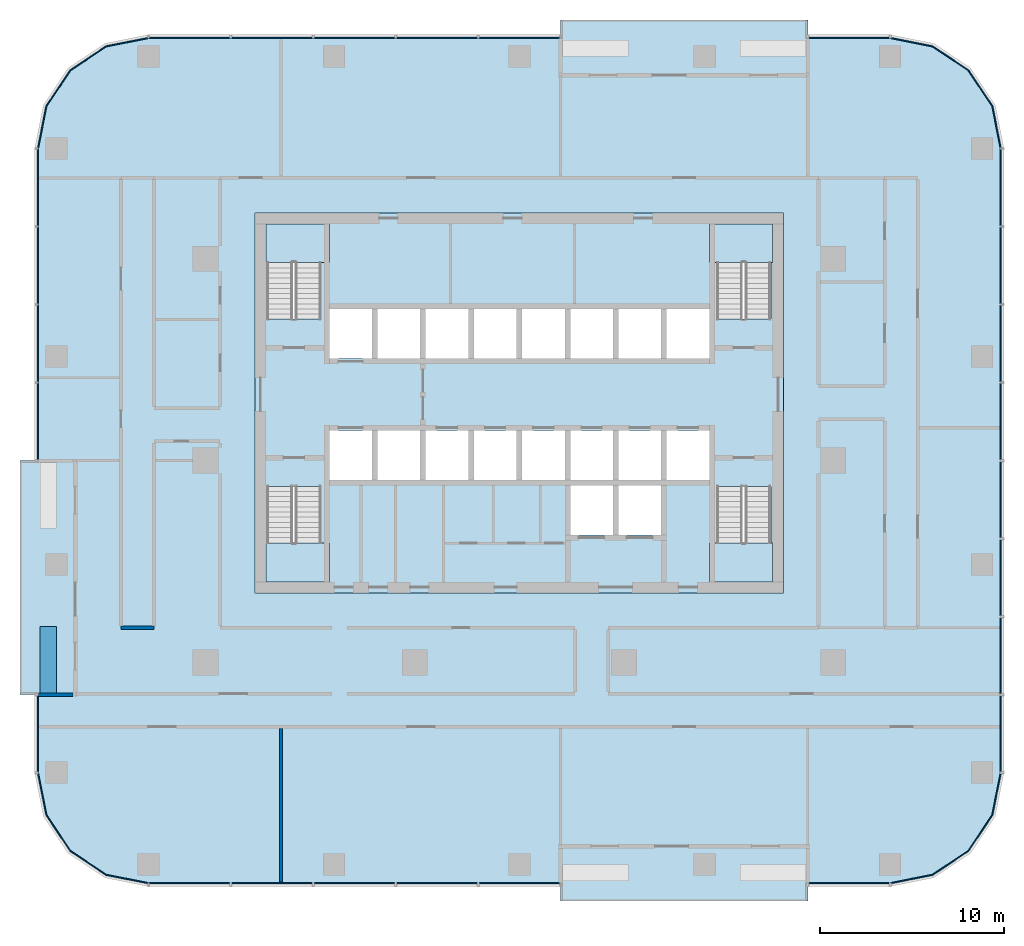
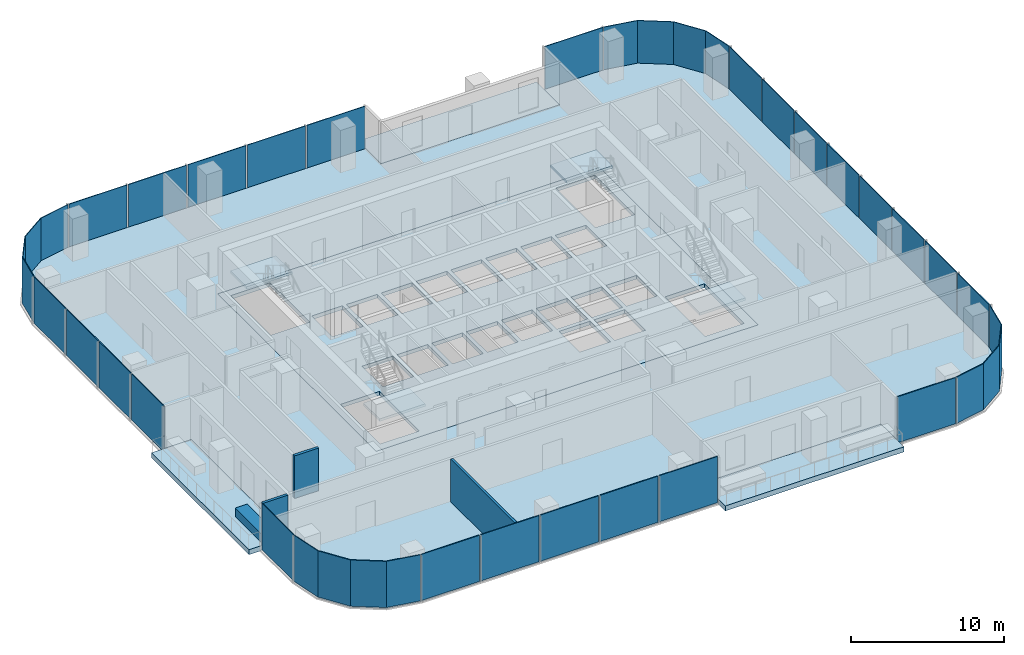
# One storey, part 6 of 14: 29 plates, 9 slabs, 4 walls, 15 elements without a shape of their own.
"""IFC4 building model written with IfcOpenShell, lengths in metres."""

from ifc_helpers import new_model, si_unit, direction, frame, frame_2d, origin, origin_2d, place, context, subcontext, project, spatial, polyline, rectangle, outline, extrude, material, layer, layer_set, type_object, element, aggregate, save


model = new_model("IFC4")

# Units and contexts
model_context = context("Model", 3, precision=1e-05, world=origin(), true_north=direction((0.0, 1.0)))
body_context = subcontext(model_context, "Body", "Model", "MODEL_VIEW")
ifc_project = project(units=[si_unit("LENGTHUNIT", "METRE"), si_unit("AREAUNIT", "SQUARE_METRE"), si_unit("VOLUMEUNIT", "CUBIC_METRE"), si_unit("PLANEANGLEUNIT", "RADIAN"), si_unit("MASSUNIT", "GRAM", prefix="KILO")], contexts=[model_context])

# Site, building, storey
site_placement = place(None, origin())
site = spatial("IfcSite", under=ifc_project, at=site_placement, CompositionType="ELEMENT")
building_placement = place(site_placement, origin())
building = spatial("IfcBuilding", under=site, at=building_placement, Name="Mopane Tessera Tower", CompositionType="ELEMENT")
storey_placement = place(building_placement, frame((0.0, 0.0, 201.0)))
storey = spatial("IfcBuildingStorey", under=building, at=storey_placement, Name="L42", CompositionType="ELEMENT", Elevation=201.0)

# Slab
ifc_material_1 = material(Name="Concrete C40/50", Category="concrete")
ifc_layer_1 = layer(ifc_material_1, 0.300048828125)
ifc_layer_set_1 = layer_set([ifc_layer_1], Name="Concrete C40/50")
slab_type_1 = type_object("IfcSlabType", Name="Core floor slab 300 mm", PredefinedType="FLOOR", material=ifc_layer_set_1)
slab_1_placement = place(storey_placement, frame((0.0, 0.0, -0.300048828125)))
element("IfcSlab", 1, at=slab_1_placement, inside=storey, type_object=slab_type_1, Name="L42 core floor slab", PredefinedType="FLOOR", context=body_context, shape_type="SweptSolid", body=[
    extrude(outline(polyline([(-14.39990234375, -7.199951171875), (14.39990234375, -7.199951171875), (14.39990234375, 13.5), (-14.39990234375, 13.5), (-14.39990234375, -7.199951171875)]), holes=[polyline([(-10.35009765625, -1.050048828125), (-8.02490234375, -1.050048828125), (-8.02490234375, 1.64990234375), (-10.35009765625, 1.64990234375), (-10.35009765625, -1.050048828125)]), polyline([(-7.72509765625, -1.050048828125), (-5.39990234375, -1.050048828125), (-5.39990234375, 1.64990234375), (-7.72509765625, 1.64990234375), (-7.72509765625, -1.050048828125)]), polyline([(-5.10009765625, -1.050048828125), (-2.77490234375, -1.050048828125), (-2.77490234375, 1.64990234375), (-5.10009765625, 1.64990234375), (-5.10009765625, -1.050048828125)]), polyline([(-2.47509765625, -1.050048828125), (-0.14990234375, -1.050048828125), (-0.14990234375, 1.64990234375), (-2.47509765625, 1.64990234375), (-2.47509765625, -1.050048828125)]), polyline([(0.14990234375, -1.050048828125), (2.47509765625, -1.050048828125), (2.47509765625, 1.64990234375), (0.14990234375, 1.64990234375), (0.14990234375, -1.050048828125)]), polyline([(2.77490234375, -1.050048828125), (5.10009765625, -1.050048828125), (5.10009765625, 1.64990234375), (2.77490234375, 1.64990234375), (2.77490234375, -1.050048828125)]), polyline([(5.39990234375, -1.050048828125), (7.72509765625, -1.050048828125), (7.72509765625, 1.64990234375), (5.39990234375, 1.64990234375), (5.39990234375, -1.050048828125)]), polyline([(8.02490234375, -1.050048828125), (10.35009765625, -1.050048828125), (10.35009765625, 1.64990234375), (8.02490234375, 1.64990234375), (8.02490234375, -1.050048828125)]), polyline([(-10.35009765625, 5.550048828125), (-8.02490234375, 5.550048828125), (-8.02490234375, 8.25), (-10.35009765625, 8.25), (-10.35009765625, 5.550048828125)]), polyline([(-7.72509765625, 5.550048828125), (-5.39990234375, 5.550048828125), (-5.39990234375, 8.25), (-7.72509765625, 8.25), (-7.72509765625, 5.550048828125)]), polyline([(-5.10009765625, 5.550048828125), (-2.77490234375, 5.550048828125), (-2.77490234375, 8.25), (-5.10009765625, 8.25), (-5.10009765625, 5.550048828125)]), polyline([(-2.47509765625, 5.550048828125), (-0.14990234375, 5.550048828125), (-0.14990234375, 8.25), (-2.47509765625, 8.25), (-2.47509765625, 5.550048828125)]), polyline([(0.14990234375, 5.550048828125), (2.47509765625, 5.550048828125), (2.47509765625, 8.25), (0.14990234375, 8.25), (0.14990234375, 5.550048828125)]), polyline([(2.77490234375, 5.550048828125), (5.10009765625, 5.550048828125), (5.10009765625, 8.25), (2.77490234375, 8.25), (2.77490234375, 5.550048828125)]), polyline([(5.39990234375, 5.550048828125), (7.72509765625, 5.550048828125), (7.72509765625, 8.25), (5.39990234375, 8.25), (5.39990234375, 5.550048828125)]), polyline([(8.02490234375, 5.550048828125), (10.35009765625, 5.550048828125), (10.35009765625, 8.25), (8.02490234375, 8.25), (8.02490234375, 5.550048828125)]), polyline([(2.77490234375, -4.050048828125), (5.10009765625, -4.050048828125), (5.10009765625, -1.35009765625), (2.77490234375, -1.35009765625), (2.77490234375, -4.050048828125)]), polyline([(5.39990234375, -4.050048828125), (7.72509765625, -4.050048828125), (7.72509765625, -1.35009765625), (5.39990234375, -1.35009765625), (5.39990234375, -4.050048828125)]), polyline([(-13.75, -1.405029296875), (-13.75, -6.60009765625), (-10.800048828125, -6.60009765625), (-10.800048828125, -1.405029296875), (-13.75, -1.405029296875)]), polyline([(-10.800048828125, 7.705078125), (-10.800048828125, 12.89990234375), (-13.75, 12.89990234375), (-13.75, 7.705078125), (-10.800048828125, 7.705078125)]), polyline([(10.75, -1.405029296875), (10.75, -6.60009765625), (13.699951171875, -6.60009765625), (13.699951171875, -1.405029296875), (10.75, -1.405029296875)]), polyline([(13.699951171875, 7.705078125), (13.699951171875, 12.89990234375), (10.75, 12.89990234375), (10.75, 7.705078125), (13.699951171875, 7.705078125)])]), origin(), (0.0, 0.0, 1.0), 0.300048828125),
])

# Stair, slab
ifc_material_2 = material(Name="Concrete C50/60", Category="concrete")
stair_type = type_object("IfcStairType", Name="Escape stair 1400 mm, riser 167 mm", PredefinedType="HALF_TURN_STAIR", material=ifc_material_2)
stair_1_placement = place(storey_placement, origin())
stair_1 = element("IfcStair", 2, at=stair_1_placement, inside=storey, type_object=stair_type, Name="L42 Escape stair south-west", PredefinedType="HALF_TURN_STAIR")
ifc_material_3 = material(Name="Concrete C50/60", Category="concrete")
ifc_layer_2 = layer(ifc_material_3, 0.199951171875)
ifc_layer_set_2 = layer_set([ifc_layer_2], Name="Concrete C50/60")
slab_type_2 = type_object("IfcSlabType", Name="Escape stair landing 200 mm", PredefinedType="LANDING", material=ifc_layer_set_2)
slab_2_placement = place(storey_placement, frame((0.0, 0.0, 1.800048828125)))
slab_2 = element("IfcSlab", 3, at=slab_2_placement, type_object=slab_type_2, Name="ST1 landing 1", PredefinedType="LANDING", context=body_context, shape_type="SweptSolid", body=[
    extrude(outline(polyline([(-13.800048828125, -4.47998046875), (-13.800048828125, -6.60009765625), (-10.35009765625, -6.60009765625), (-10.35009765625, -4.47998046875), (-13.800048828125, -4.47998046875)])), origin(), (0.0, 0.0, 1.0), 0.199951171875),
])
aggregate(stair_1, [slab_2])

stair_2_placement = place(storey_placement, origin())
stair_2 = element("IfcStair", 4, at=stair_2_placement, inside=storey, type_object=stair_type, Name="L42 Escape stair north-west", PredefinedType="HALF_TURN_STAIR")
slab_3_placement = place(storey_placement, frame((0.0, 0.0, 1.800048828125)))
slab_3 = element("IfcSlab", 5, at=slab_3_placement, type_object=slab_type_2, Name="ST2 landing 1", PredefinedType="LANDING", context=body_context, shape_type="SweptSolid", body=[
    extrude(outline(polyline([(-10.35009765625, 10.780029296875), (-10.35009765625, 12.89990234375), (-13.800048828125, 12.89990234375), (-13.800048828125, 10.780029296875), (-10.35009765625, 10.780029296875)])), origin(), (0.0, 0.0, 1.0), 0.199951171875),
])
aggregate(stair_2, [slab_3])

stair_3_placement = place(storey_placement, origin())
stair_3 = element("IfcStair", 6, at=stair_3_placement, inside=storey, type_object=stair_type, Name="L42 Escape stair south-east", PredefinedType="HALF_TURN_STAIR")
slab_4_placement = place(storey_placement, frame((0.0, 0.0, 1.800048828125)))
slab_4 = element("IfcSlab", 7, at=slab_4_placement, type_object=slab_type_2, Name="ST3 landing 1", PredefinedType="LANDING", context=body_context, shape_type="SweptSolid", body=[
    extrude(outline(polyline([(10.35009765625, -4.47998046875), (10.35009765625, -6.60009765625), (13.800048828125, -6.60009765625), (13.800048828125, -4.47998046875), (10.35009765625, -4.47998046875)])), origin(), (0.0, 0.0, 1.0), 0.199951171875),
])
aggregate(stair_3, [slab_4])

stair_4_placement = place(storey_placement, origin())
stair_4 = element("IfcStair", 8, at=stair_4_placement, inside=storey, type_object=stair_type, Name="L42 Escape stair north-east", PredefinedType="HALF_TURN_STAIR")
slab_5_placement = place(storey_placement, frame((0.0, 0.0, 1.800048828125)))
slab_5 = element("IfcSlab", 9, at=slab_5_placement, type_object=slab_type_2, Name="ST4 landing 1", PredefinedType="LANDING", context=body_context, shape_type="SweptSolid", body=[
    extrude(outline(polyline([(13.800048828125, 10.780029296875), (13.800048828125, 12.89990234375), (10.35009765625, 12.89990234375), (10.35009765625, 10.780029296875), (13.800048828125, 10.780029296875)])), origin(), (0.0, 0.0, 1.0), 0.199951171875),
])
aggregate(stair_4, [slab_5])

# Slabs
ifc_material_4 = material(Name="Concrete C40/50", Category="concrete")
ifc_layer_3 = layer(ifc_material_4, 0.39990234375)
ifc_layer_set_3 = layer_set([ifc_layer_3], Name="Concrete C40/50")
slab_type_3 = type_object("IfcSlabType", Name="Planted terrace slab 400 mm", PredefinedType="FLOOR", material=ifc_layer_set_3)
slab_6_placement = place(storey_placement, frame((0.0, 0.0, -0.39990234375)))
element("IfcSlab", 10, at=slab_6_placement, inside=storey, type_object=slab_type_3, Name="Terrace slab N1 L42", PredefinedType="FLOOR", context=body_context, shape_type="SweptSolid", body=[
    extrude(outline(polyline([(-27.199951171875, -12.75), (-24.199951171875, -12.75), (-24.199951171875, 0.0), (-27.199951171875, 0.0), (-27.199951171875, -12.75)])), origin(), (0.0, 0.0, 1.0), 0.39990234375),
])
slab_7_placement = place(storey_placement, frame((0.0, 0.0, -0.39990234375)))
element("IfcSlab", 11, at=slab_7_placement, inside=storey, type_object=slab_type_3, Name="Terrace slab N2 L42", PredefinedType="FLOOR", context=body_context, shape_type="SweptSolid", body=[
    extrude(outline(polyline([(15.711181640625, -24.0), (15.711181640625, -21.0), (2.244384765625, -21.0), (2.244384765625, -24.0), (15.711181640625, -24.0)])), origin(), (0.0, 0.0, 1.0), 0.39990234375),
])
slab_8_placement = place(storey_placement, frame((0.0, 0.0, -0.39990234375)))
element("IfcSlab", 12, at=slab_8_placement, inside=storey, type_object=slab_type_3, Name="Terrace slab N3 L42", PredefinedType="FLOOR", context=body_context, shape_type="SweptSolid", body=[
    extrude(outline(polyline([(2.244384765625, 24.0), (2.244384765625, 21.0), (15.711181640625, 21.0), (15.711181640625, 24.0), (2.244384765625, 24.0)])), origin(), (0.0, 0.0, 1.0), 0.39990234375),
])
ifc_material_5 = material(Name="Concrete C40/50", Category="concrete")
ifc_layer_4 = layer(ifc_material_5, 0.39990234375)
ifc_layer_set_4 = layer_set([ifc_layer_4], Name="Concrete C40/50")
slab_type_4 = type_object("IfcSlabType", Name="Post-tensioned flat plate 400 mm", PredefinedType="FLOOR", material=ifc_layer_set_4)
slab_9_placement = place(storey_placement, frame((0.0, 0.0, -0.39990234375)))
element("IfcSlab", 13, at=slab_9_placement, inside=storey, type_object=slab_type_4, Name="Floor slab L42", PredefinedType="FLOOR", context=body_context, shape_type="SweptSolid", body=[
    extrude(outline(polyline([(-20.199951171875, -23.0), (2.244384765625, -23.0), (2.244384765625, -21.0), (15.711181640625, -21.0), (15.711181640625, -23.0), (20.199951171875, -23.0), (22.49609375, -22.543212890625), (24.442626953125, -21.24267578125), (25.7431640625, -19.296142578125), (26.199951171875, -17.0), (26.199951171875, 17.0), (25.7431640625, 19.296142578125), (24.442626953125, 21.24267578125), (22.49609375, 22.543212890625), (20.199951171875, 23.0), (15.711181640625, 23.0), (15.711181640625, 21.0), (2.244384765625, 21.0), (2.244384765625, 23.0), (-20.199951171875, 23.0), (-22.49609375, 22.543212890625), (-24.442626953125, 21.24267578125), (-25.7431640625, 19.296142578125), (-26.199951171875, 17.0), (-26.199951171875, 0.0), (-24.199951171875, 0.0), (-24.199951171875, -12.75), (-26.199951171875, -12.75), (-26.199951171875, -17.0), (-25.7431640625, -19.296142578125), (-24.442626953125, -21.24267578125), (-22.49609375, -22.543212890625), (-20.199951171875, -23.0)]), holes=[polyline([(14.39990234375, -7.199951171875), (-14.39990234375, -7.199951171875), (-14.39990234375, 13.5), (14.39990234375, 13.5), (14.39990234375, -7.199951171875)])]), origin(), (0.0, 0.0, 1.0), 0.39990234375),
])

# Curtain wall, plates
ifc_material_6 = material(Name="Aluminium frame", Category="aluminium")
curtain_wall_type = type_object("IfcCurtainWallType", Name="Unitised curtain wall", PredefinedType="NOTDEFINED", material=ifc_material_6)
curtain_wall_1_placement = place(storey_placement, origin())
curtain_wall_1 = element("IfcCurtainWall", 14, at=curtain_wall_1_placement, inside=storey, type_object=curtain_wall_type, Name="e:cw:L42:S:0", PredefinedType="NOTDEFINED")
ifc_material_7 = material(Name="Clear laminated glass", Category="glass")
ifc_layer_5 = layer(ifc_material_7, 0.06005859375)
ifc_layer_set_5 = layer_set([ifc_layer_5], Name="Clear laminated glass")
plate_type = type_object("IfcPlateType", Name="Unitised glazed unit", PredefinedType="CURTAIN_PANEL", material=ifc_layer_set_5)
plate_1_placement = place(storey_placement, frame((-17.95556640625, -23.030029296875, -0.27978515625), z_axis=(0.0, 0.0, 1.0), x_axis=(1.0, 0.0, 0.0)))
plate_1 = element("IfcPlate", 15, at=plate_1_placement, type_object=plate_type, Name="e:cw:L42:S:0:pn0", PredefinedType="CURTAIN_PANEL", context=body_context, shape_type="SweptSolid", body=[
    extrude(rectangle(XDim=4.388916015625, YDim=0.06005859375, at=origin_2d()), origin(), (0.0, 0.0, 1.0), 3.679931640625),
])
plate_2_placement = place(storey_placement, frame((-13.466552734375, -23.030029296875, -0.27978515625), z_axis=(0.0, 0.0, 1.0), x_axis=(1.0, 0.0, 0.0)))
plate_2 = element("IfcPlate", 16, at=plate_2_placement, type_object=plate_type, Name="e:cw:L42:S:0:pn1", PredefinedType="CURTAIN_PANEL", context=body_context, shape_type="SweptSolid", body=[
    extrude(rectangle(XDim=4.388916015625, YDim=0.06005859375, at=origin_2d()), origin(), (0.0, 0.0, 1.0), 3.679931640625),
])
plate_3_placement = place(storey_placement, frame((-8.977783203125, -23.030029296875, -0.27978515625), z_axis=(0.0, 0.0, 1.0), x_axis=(1.0, 0.0, 0.0)))
plate_3 = element("IfcPlate", 17, at=plate_3_placement, type_object=plate_type, Name="e:cw:L42:S:0:pn2", PredefinedType="CURTAIN_PANEL", context=body_context, shape_type="SweptSolid", body=[
    extrude(rectangle(XDim=4.388916015625, YDim=0.06005859375, at=origin_2d()), origin(), (0.0, 0.0, 1.0), 3.679931640625),
])
plate_4_placement = place(storey_placement, frame((-4.48876953125, -23.030029296875, -0.27978515625), z_axis=(0.0, 0.0, 1.0), x_axis=(1.0, 0.0, 0.0)))
plate_4 = element("IfcPlate", 18, at=plate_4_placement, type_object=plate_type, Name="e:cw:L42:S:0:pn3", PredefinedType="CURTAIN_PANEL", context=body_context, shape_type="SweptSolid", body=[
    extrude(rectangle(XDim=4.388916015625, YDim=0.06005859375, at=origin_2d()), origin(), (0.0, 0.0, 1.0), 3.679931640625),
])
plate_5_placement = place(storey_placement, frame((0.0, -23.030029296875, -0.27978515625), z_axis=(0.0, 0.0, 1.0), x_axis=(1.0, 0.0, 0.0)))
plate_5 = element("IfcPlate", 19, at=plate_5_placement, type_object=plate_type, Name="e:cw:L42:S:0:pn4", PredefinedType="CURTAIN_PANEL", context=body_context, shape_type="SweptSolid", body=[
    extrude(rectangle(XDim=4.388916015625, YDim=0.06005859375, at=origin_2d()), origin(), (0.0, 0.0, 1.0), 3.679931640625),
])
aggregate(curtain_wall_1, [plate_1, plate_2, plate_3, plate_4, plate_5])

# Curtain wall, plate
curtain_wall_2_placement = place(storey_placement, origin())
curtain_wall_2 = element("IfcCurtainWall", 20, at=curtain_wall_2_placement, inside=storey, type_object=curtain_wall_type, Name="e:cw:L42:S:8", PredefinedType="NOTDEFINED")
plate_6_placement = place(storey_placement, frame((17.95556640625, -23.030029296875, -0.27978515625), z_axis=(0.0, 0.0, 1.0), x_axis=(1.0, 0.0, 0.0)))
plate_6 = element("IfcPlate", 21, at=plate_6_placement, type_object=plate_type, Name="e:cw:L42:S:8:pn8", PredefinedType="CURTAIN_PANEL", context=body_context, shape_type="SweptSolid", body=[
    extrude(rectangle(XDim=4.388916015625, YDim=0.06005859375, at=origin_2d()), origin(), (0.0, 0.0, 1.0), 3.679931640625),
])
aggregate(curtain_wall_2, [plate_6])

curtain_wall_3_placement = place(storey_placement, origin())
curtain_wall_3 = element("IfcCurtainWall", 22, at=curtain_wall_3_placement, inside=storey, type_object=curtain_wall_type, Name="e:cw:L42:CS", PredefinedType="NOTDEFINED")
plate_7_placement = place(storey_placement, frame((0.0, 0.0, -0.280029296875)))
plate_7 = element("IfcPlate", 23, at=plate_7_placement, type_object=plate_type, Name="e:cw:L42:CS:pn", PredefinedType="CURTAIN_PANEL", context=body_context, shape_type="SweptSolid", body=[
    extrude(outline(polyline([(20.199951171875, -23.0), (22.49609375, -22.543212890625), (24.442626953125, -21.24267578125), (25.7431640625, -19.296142578125), (26.199951171875, -17.0), (26.260009765625, -17.0), (25.798828125, -19.319091796875), (24.485107421875, -21.28515625), (22.51904296875, -22.5986328125), (20.199951171875, -23.06005859375), (20.199951171875, -23.0)])), origin(), (0.0, 0.0, 1.0), 3.679931640625),
])
aggregate(curtain_wall_3, [plate_7])

# Curtain wall, plates
curtain_wall_4_placement = place(storey_placement, origin())
curtain_wall_4 = element("IfcCurtainWall", 24, at=curtain_wall_4_placement, inside=storey, type_object=curtain_wall_type, Name="e:cw:L42:E:0", PredefinedType="NOTDEFINED")
plate_8_placement = place(storey_placement, frame((26.22998046875, -14.875, -0.27978515625), z_axis=(0.0, 0.0, 1.0), x_axis=(0.0, 1.0, 0.0)))
plate_8 = element("IfcPlate", 25, at=plate_8_placement, type_object=plate_type, Name="e:cw:L42:E:0:pn0", PredefinedType="CURTAIN_PANEL", context=body_context, shape_type="SweptSolid", body=[
    extrude(rectangle(XDim=4.14990234375, YDim=0.06005859375, at=origin_2d()), origin(), (0.0, 0.0, 1.0), 3.679931640625),
])
plate_9_placement = place(storey_placement, frame((26.22998046875, -10.625, -0.27978515625), z_axis=(0.0, 0.0, 1.0), x_axis=(0.0, 1.0, 0.0)))
plate_9 = element("IfcPlate", 26, at=plate_9_placement, type_object=plate_type, Name="e:cw:L42:E:0:pn1", PredefinedType="CURTAIN_PANEL", context=body_context, shape_type="SweptSolid", body=[
    extrude(rectangle(XDim=4.14990234375, YDim=0.06005859375, at=origin_2d()), origin(), (0.0, 0.0, 1.0), 3.679931640625),
])
plate_10_placement = place(storey_placement, frame((26.22998046875, -6.375, -0.27978515625), z_axis=(0.0, 0.0, 1.0), x_axis=(0.0, 1.0, 0.0)))
plate_10 = element("IfcPlate", 27, at=plate_10_placement, type_object=plate_type, Name="e:cw:L42:E:0:pn2", PredefinedType="CURTAIN_PANEL", context=body_context, shape_type="SweptSolid", body=[
    extrude(rectangle(XDim=4.14990234375, YDim=0.06005859375, at=origin_2d()), origin(), (0.0, 0.0, 1.0), 3.679931640625),
])
plate_11_placement = place(storey_placement, frame((26.22998046875, -2.125, -0.27978515625), z_axis=(0.0, 0.0, 1.0), x_axis=(0.0, 1.0, 0.0)))
plate_11 = element("IfcPlate", 28, at=plate_11_placement, type_object=plate_type, Name="e:cw:L42:E:0:pn3", PredefinedType="CURTAIN_PANEL", context=body_context, shape_type="SweptSolid", body=[
    extrude(rectangle(XDim=4.14990234375, YDim=0.06005859375, at=origin_2d()), origin(), (0.0, 0.0, 1.0), 3.679931640625),
])
plate_12_placement = place(storey_placement, frame((26.22998046875, 2.125, -0.27978515625), z_axis=(0.0, 0.0, 1.0), x_axis=(0.0, 1.0, 0.0)))
plate_12 = element("IfcPlate", 29, at=plate_12_placement, type_object=plate_type, Name="e:cw:L42:E:0:pn4", PredefinedType="CURTAIN_PANEL", context=body_context, shape_type="SweptSolid", body=[
    extrude(rectangle(XDim=4.14990234375, YDim=0.06005859375, at=origin_2d()), origin(), (0.0, 0.0, 1.0), 3.679931640625),
])
plate_13_placement = place(storey_placement, frame((26.22998046875, 6.375, -0.27978515625), z_axis=(0.0, 0.0, 1.0), x_axis=(0.0, 1.0, 0.0)))
plate_13 = element("IfcPlate", 30, at=plate_13_placement, type_object=plate_type, Name="e:cw:L42:E:0:pn5", PredefinedType="CURTAIN_PANEL", context=body_context, shape_type="SweptSolid", body=[
    extrude(rectangle(XDim=4.14990234375, YDim=0.06005859375, at=origin_2d()), origin(), (0.0, 0.0, 1.0), 3.679931640625),
])
plate_14_placement = place(storey_placement, frame((26.22998046875, 10.625, -0.27978515625), z_axis=(0.0, 0.0, 1.0), x_axis=(0.0, 1.0, 0.0)))
plate_14 = element("IfcPlate", 31, at=plate_14_placement, type_object=plate_type, Name="e:cw:L42:E:0:pn6", PredefinedType="CURTAIN_PANEL", context=body_context, shape_type="SweptSolid", body=[
    extrude(rectangle(XDim=4.14990234375, YDim=0.06005859375, at=origin_2d()), origin(), (0.0, 0.0, 1.0), 3.679931640625),
])
plate_15_placement = place(storey_placement, frame((26.22998046875, 14.875, -0.27978515625), z_axis=(0.0, 0.0, 1.0), x_axis=(0.0, 1.0, 0.0)))
plate_15 = element("IfcPlate", 32, at=plate_15_placement, type_object=plate_type, Name="e:cw:L42:E:0:pn7", PredefinedType="CURTAIN_PANEL", context=body_context, shape_type="SweptSolid", body=[
    extrude(rectangle(XDim=4.14990234375, YDim=0.06005859375, at=origin_2d()), origin(), (0.0, 0.0, 1.0), 3.679931640625),
])
aggregate(curtain_wall_4, [plate_8, plate_9, plate_10, plate_11, plate_12, plate_13, plate_14, plate_15])

# Curtain wall, plate
curtain_wall_5_placement = place(storey_placement, origin())
curtain_wall_5 = element("IfcCurtainWall", 33, at=curtain_wall_5_placement, inside=storey, type_object=curtain_wall_type, Name="e:cw:L42:CE", PredefinedType="NOTDEFINED")
plate_16_placement = place(storey_placement, frame((0.0, 0.0, -0.280029296875)))
plate_16 = element("IfcPlate", 34, at=plate_16_placement, type_object=plate_type, Name="e:cw:L42:CE:pn", PredefinedType="CURTAIN_PANEL", context=body_context, shape_type="SweptSolid", body=[
    extrude(outline(polyline([(26.199951171875, 17.0), (25.7431640625, 19.296142578125), (24.442626953125, 21.24267578125), (22.49609375, 22.543212890625), (20.199951171875, 23.0), (20.199951171875, 23.06005859375), (22.51904296875, 22.5986328125), (24.485107421875, 21.28515625), (25.798828125, 19.319091796875), (26.260009765625, 17.0), (26.199951171875, 17.0)])), origin(), (0.0, 0.0, 1.0), 3.679931640625),
])
aggregate(curtain_wall_5, [plate_16])

curtain_wall_6_placement = place(storey_placement, origin())
curtain_wall_6 = element("IfcCurtainWall", 35, at=curtain_wall_6_placement, inside=storey, type_object=curtain_wall_type, Name="e:cw:L42:N:0", PredefinedType="NOTDEFINED")
plate_17_placement = place(storey_placement, frame((17.95556640625, 23.030029296875, -0.27978515625), z_axis=(0.0, 0.0, 1.0), x_axis=(-1.0, 0.0, 0.0)))
plate_17 = element("IfcPlate", 36, at=plate_17_placement, type_object=plate_type, Name="e:cw:L42:N:0:pn0", PredefinedType="CURTAIN_PANEL", context=body_context, shape_type="SweptSolid", body=[
    extrude(rectangle(XDim=4.388916015625, YDim=0.06005859375, at=origin_2d()), origin(), (0.0, 0.0, 1.0), 3.679931640625),
])
aggregate(curtain_wall_6, [plate_17])

# Curtain wall, plates
curtain_wall_7_placement = place(storey_placement, origin())
curtain_wall_7 = element("IfcCurtainWall", 37, at=curtain_wall_7_placement, inside=storey, type_object=curtain_wall_type, Name="e:cw:L42:N:4", PredefinedType="NOTDEFINED")
plate_18_placement = place(storey_placement, frame((0.0, 23.030029296875, -0.27978515625), z_axis=(0.0, 0.0, 1.0), x_axis=(-1.0, 0.0, 0.0)))
plate_18 = element("IfcPlate", 38, at=plate_18_placement, type_object=plate_type, Name="e:cw:L42:N:4:pn4", PredefinedType="CURTAIN_PANEL", context=body_context, shape_type="SweptSolid", body=[
    extrude(rectangle(XDim=4.388916015625, YDim=0.06005859375, at=origin_2d()), origin(), (0.0, 0.0, 1.0), 3.679931640625),
])
plate_19_placement = place(storey_placement, frame((-4.48876953125, 23.030029296875, -0.27978515625), z_axis=(0.0, 0.0, 1.0), x_axis=(-1.0, 0.0, 0.0)))
plate_19 = element("IfcPlate", 39, at=plate_19_placement, type_object=plate_type, Name="e:cw:L42:N:4:pn5", PredefinedType="CURTAIN_PANEL", context=body_context, shape_type="SweptSolid", body=[
    extrude(rectangle(XDim=4.388916015625, YDim=0.06005859375, at=origin_2d()), origin(), (0.0, 0.0, 1.0), 3.679931640625),
])
plate_20_placement = place(storey_placement, frame((-8.977783203125, 23.030029296875, -0.27978515625), z_axis=(0.0, 0.0, 1.0), x_axis=(-1.0, 0.0, 0.0)))
plate_20 = element("IfcPlate", 40, at=plate_20_placement, type_object=plate_type, Name="e:cw:L42:N:4:pn6", PredefinedType="CURTAIN_PANEL", context=body_context, shape_type="SweptSolid", body=[
    extrude(rectangle(XDim=4.388916015625, YDim=0.06005859375, at=origin_2d()), origin(), (0.0, 0.0, 1.0), 3.679931640625),
])
plate_21_placement = place(storey_placement, frame((-13.466552734375, 23.030029296875, -0.27978515625), z_axis=(0.0, 0.0, 1.0), x_axis=(-1.0, 0.0, 0.0)))
plate_21 = element("IfcPlate", 41, at=plate_21_placement, type_object=plate_type, Name="e:cw:L42:N:4:pn7", PredefinedType="CURTAIN_PANEL", context=body_context, shape_type="SweptSolid", body=[
    extrude(rectangle(XDim=4.388916015625, YDim=0.06005859375, at=origin_2d()), origin(), (0.0, 0.0, 1.0), 3.679931640625),
])
plate_22_placement = place(storey_placement, frame((-17.95556640625, 23.030029296875, -0.27978515625), z_axis=(0.0, 0.0, 1.0), x_axis=(-1.0, 0.0, 0.0)))
plate_22 = element("IfcPlate", 42, at=plate_22_placement, type_object=plate_type, Name="e:cw:L42:N:4:pn8", PredefinedType="CURTAIN_PANEL", context=body_context, shape_type="SweptSolid", body=[
    extrude(rectangle(XDim=4.388916015625, YDim=0.06005859375, at=origin_2d()), origin(), (0.0, 0.0, 1.0), 3.679931640625),
])
aggregate(curtain_wall_7, [plate_18, plate_19, plate_20, plate_21, plate_22])

# Curtain wall, plate
curtain_wall_8_placement = place(storey_placement, origin())
curtain_wall_8 = element("IfcCurtainWall", 43, at=curtain_wall_8_placement, inside=storey, type_object=curtain_wall_type, Name="e:cw:L42:CN", PredefinedType="NOTDEFINED")
plate_23_placement = place(storey_placement, frame((0.0, 0.0, -0.280029296875)))
plate_23 = element("IfcPlate", 44, at=plate_23_placement, type_object=plate_type, Name="e:cw:L42:CN:pn", PredefinedType="CURTAIN_PANEL", context=body_context, shape_type="SweptSolid", body=[
    extrude(outline(polyline([(-20.199951171875, 23.0), (-22.49609375, 22.543212890625), (-24.442626953125, 21.24267578125), (-25.7431640625, 19.296142578125), (-26.199951171875, 17.0), (-26.260009765625, 17.0), (-25.798828125, 19.319091796875), (-24.485107421875, 21.28515625), (-22.51904296875, 22.5986328125), (-20.199951171875, 23.06005859375), (-20.199951171875, 23.0)])), origin(), (0.0, 0.0, 1.0), 3.679931640625),
])
aggregate(curtain_wall_8, [plate_23])

# Curtain wall, plates
curtain_wall_9_placement = place(storey_placement, origin())
curtain_wall_9 = element("IfcCurtainWall", 45, at=curtain_wall_9_placement, inside=storey, type_object=curtain_wall_type, Name="e:cw:L42:W:0", PredefinedType="NOTDEFINED")
plate_24_placement = place(storey_placement, frame((-26.22998046875, 14.875, -0.27978515625), z_axis=(0.0, 0.0, 1.0), x_axis=(0.0, -1.0, 0.0)))
plate_24 = element("IfcPlate", 46, at=plate_24_placement, type_object=plate_type, Name="e:cw:L42:W:0:pn0", PredefinedType="CURTAIN_PANEL", context=body_context, shape_type="SweptSolid", body=[
    extrude(rectangle(XDim=4.14990234375, YDim=0.06005859375, at=origin_2d()), origin(), (0.0, 0.0, 1.0), 3.679931640625),
])
plate_25_placement = place(storey_placement, frame((-26.22998046875, 10.625, -0.27978515625), z_axis=(0.0, 0.0, 1.0), x_axis=(0.0, -1.0, 0.0)))
plate_25 = element("IfcPlate", 47, at=plate_25_placement, type_object=plate_type, Name="e:cw:L42:W:0:pn1", PredefinedType="CURTAIN_PANEL", context=body_context, shape_type="SweptSolid", body=[
    extrude(rectangle(XDim=4.14990234375, YDim=0.06005859375, at=origin_2d()), origin(), (0.0, 0.0, 1.0), 3.679931640625),
])
plate_26_placement = place(storey_placement, frame((-26.22998046875, 6.375, -0.27978515625), z_axis=(0.0, 0.0, 1.0), x_axis=(0.0, -1.0, 0.0)))
plate_26 = element("IfcPlate", 48, at=plate_26_placement, type_object=plate_type, Name="e:cw:L42:W:0:pn2", PredefinedType="CURTAIN_PANEL", context=body_context, shape_type="SweptSolid", body=[
    extrude(rectangle(XDim=4.14990234375, YDim=0.06005859375, at=origin_2d()), origin(), (0.0, 0.0, 1.0), 3.679931640625),
])
plate_27_placement = place(storey_placement, frame((-26.22998046875, 2.125, -0.27978515625), z_axis=(0.0, 0.0, 1.0), x_axis=(0.0, -1.0, 0.0)))
plate_27 = element("IfcPlate", 49, at=plate_27_placement, type_object=plate_type, Name="e:cw:L42:W:0:pn3", PredefinedType="CURTAIN_PANEL", context=body_context, shape_type="SweptSolid", body=[
    extrude(rectangle(XDim=4.14990234375, YDim=0.06005859375, at=origin_2d()), origin(), (0.0, 0.0, 1.0), 3.679931640625),
])
aggregate(curtain_wall_9, [plate_24, plate_25, plate_26, plate_27])

# Curtain wall, plate
curtain_wall_10_placement = place(storey_placement, origin())
curtain_wall_10 = element("IfcCurtainWall", 50, at=curtain_wall_10_placement, inside=storey, type_object=curtain_wall_type, Name="e:cw:L42:W:7", PredefinedType="NOTDEFINED")
plate_28_placement = place(storey_placement, frame((-26.22998046875, -14.875, -0.27978515625), z_axis=(0.0, 0.0, 1.0), x_axis=(0.0, -1.0, 0.0)))
plate_28 = element("IfcPlate", 51, at=plate_28_placement, type_object=plate_type, Name="e:cw:L42:W:7:pn7", PredefinedType="CURTAIN_PANEL", context=body_context, shape_type="SweptSolid", body=[
    extrude(rectangle(XDim=4.14990234375, YDim=0.06005859375, at=origin_2d()), origin(), (0.0, 0.0, 1.0), 3.679931640625),
])
aggregate(curtain_wall_10, [plate_28])

curtain_wall_11_placement = place(storey_placement, origin())
curtain_wall_11 = element("IfcCurtainWall", 52, at=curtain_wall_11_placement, inside=storey, type_object=curtain_wall_type, Name="e:cw:L42:CW", PredefinedType="NOTDEFINED")
plate_29_placement = place(storey_placement, frame((0.0, 0.0, -0.280029296875)))
plate_29 = element("IfcPlate", 53, at=plate_29_placement, type_object=plate_type, Name="e:cw:L42:CW:pn", PredefinedType="CURTAIN_PANEL", context=body_context, shape_type="SweptSolid", body=[
    extrude(outline(polyline([(-26.199951171875, -17.0), (-25.7431640625, -19.296142578125), (-24.442626953125, -21.24267578125), (-22.49609375, -22.543212890625), (-20.199951171875, -23.0), (-20.199951171875, -23.06005859375), (-22.51904296875, -22.5986328125), (-24.485107421875, -21.28515625), (-25.798828125, -19.319091796875), (-26.260009765625, -17.0), (-26.199951171875, -17.0)])), origin(), (0.0, 0.0, 1.0), 3.679931640625),
])
aggregate(curtain_wall_11, [plate_29])

# Walls
ifc_material_8 = material(Name="Gypsum board on staggered steel studs, double layer each face, acoustic mineral wool infill", Category="steel")
ifc_layer_6 = layer(ifc_material_8, 0.175048828125)
ifc_layer_set_6 = layer_set([ifc_layer_6], Name="Gypsum board on staggered steel studs, double layer each face, acoustic mineral wool infill")
wall_type_1 = type_object("IfcWallType", Name="Gypsum board acoustic partition 175, rated EI 60", PredefinedType="PARTITIONING", material=ifc_layer_set_6)
wall_1_placement = place(storey_placement, frame((-12.97509765625, -22.949951171875, 0.0), z_axis=(0.0, 0.0, 1.0), x_axis=(0.0, 1.0, 0.0)))
element("IfcWall", 54, at=wall_1_placement, inside=storey, type_object=wall_type_1, Name="Partition L42:034", PredefinedType="PARTITIONING", context=body_context, shape_type="SweptSolid", body=[
    extrude(rectangle(XDim=8.349853515625, YDim=0.175048828125, at=frame_2d((4.1748046875, 0.0))), origin(), (0.0, 0.0, 1.0), 3.39990234375),
])
ifc_material_9 = material(Name="Gypsum board on steel studs, two layers each face, mineral wool infill", Category="steel")
ifc_layer_7 = layer(ifc_material_9, 0.199951171875)
ifc_layer_set_7 = layer_set([ifc_layer_7], Name="Gypsum board on steel studs, two layers each face, mineral wool infill")
wall_type_2 = type_object("IfcWallType", Name="Gypsum board corridor wall 200, rated EI 60", PredefinedType="PARTITIONING", material=ifc_layer_set_7)
wall_2_placement = place(storey_placement, frame((-21.699951171875, -9.10009765625, 0.0), z_axis=(0.0, 0.0, 1.0), x_axis=(1.0, 0.0, 0.0)))
element("IfcWall", 55, at=wall_2_placement, inside=storey, type_object=wall_type_2, Name="Partition L42:006", PredefinedType="PARTITIONING", context=body_context, shape_type="SweptSolid", body=[
    extrude(rectangle(XDim=1.800048828125, YDim=0.199951171875, at=frame_2d((0.89990234375, 0.0))), origin(), (0.0, 0.0, 1.0), 3.39990234375),
])
ifc_material_10 = material(Name="Reinforced concrete C32/40 with waterproofing", Category="concrete")
ifc_layer_8 = layer(ifc_material_10, 0.89990234375)
ifc_layer_set_8 = layer_set([ifc_layer_8], Name="Reinforced concrete C32/40 with waterproofing")
wall_type_3 = type_object("IfcWallType", Name="Planter trough 3600 x 900", PredefinedType="STANDARD", material=ifc_layer_set_8)
wall_3_placement = place(storey_placement, frame((-25.64990234375, -9.050048828125, 0.0), z_axis=(0.0, 0.0, 1.0), x_axis=(0.0, -1.0, 0.0)))
element("IfcWall", 56, at=wall_3_placement, inside=storey, type_object=wall_type_3, Name="e:nw:L42:N1:pl1", PredefinedType="STANDARD", context=body_context, shape_type="SweptSolid", body=[
    extrude(rectangle(XDim=3.599853515625, YDim=0.89990234375, at=frame_2d((1.7998046875, 0.0))), origin(), (0.0, 0.0, 1.0), 0.699951171875),
])
ifc_material_11 = material(Name="Blockwork with glazed tile facing", Category="masonry")
ifc_layer_9 = layer(ifc_material_11, 0.199951171875)
ifc_layer_set_9 = layer_set([ifc_layer_9], Name="Blockwork with glazed tile facing")
wall_type_4 = type_object("IfcWallType", Name="Terrace cheek wall 200", PredefinedType="STANDARD", material=ifc_layer_set_9)
wall_4_placement = place(storey_placement, frame((-26.199951171875, -12.75, 0.0), z_axis=(0.0, 0.0, 1.0), x_axis=(1.0, 0.0, 0.0)))
element("IfcWall", 57, at=wall_4_placement, inside=storey, type_object=wall_type_4, Name="e:nw:L42:N1:cheekb", PredefinedType="STANDARD", context=body_context, shape_type="SweptSolid", body=[
    extrude(rectangle(XDim=1.875, YDim=0.199951171875, at=frame_2d((0.9375, 0.0))), origin(), (0.0, 0.0, 1.0), 3.39990234375),
])

save(model, "model.ifc")
